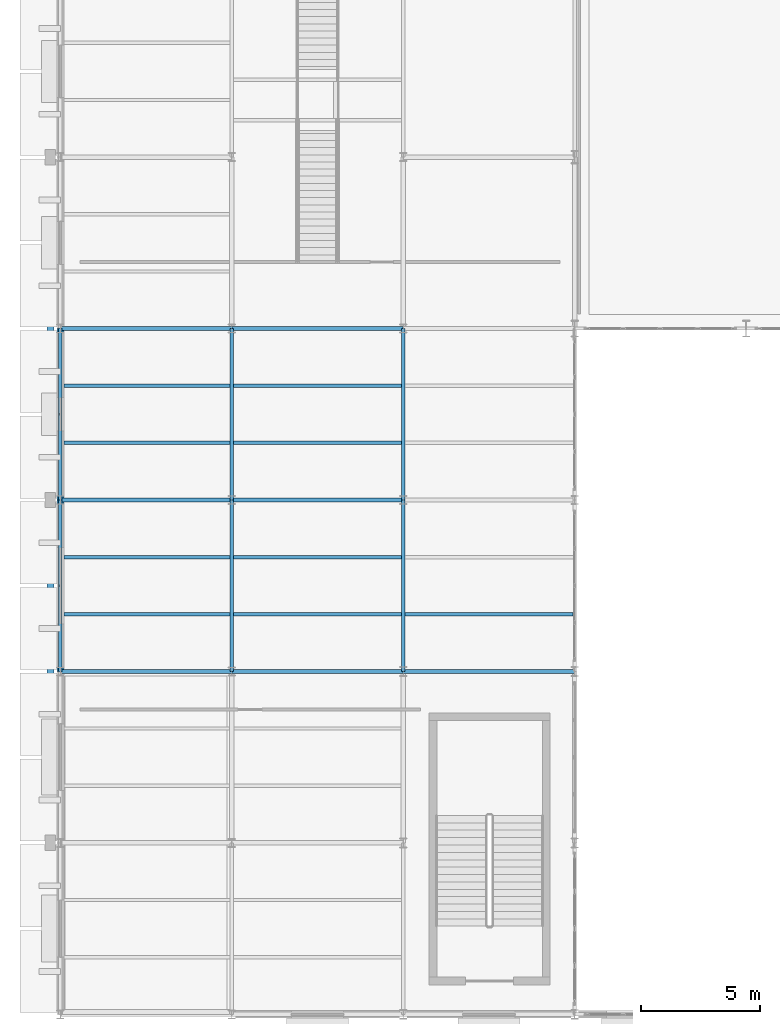
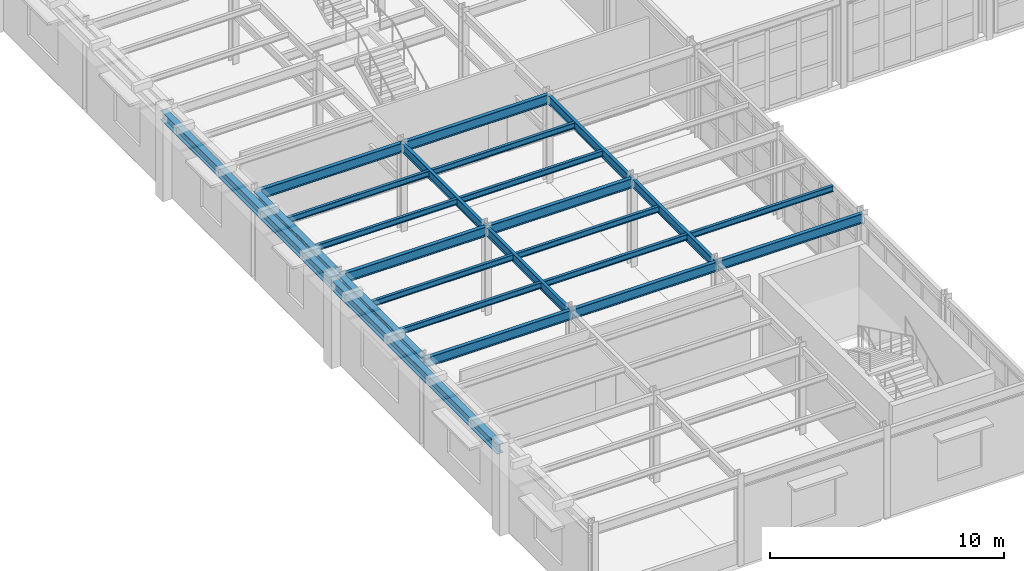
# One storey, part 27 of 126: 24 beams, 4 members.
"""IFC4 building model written with IfcOpenShell, lengths in metres."""

from ifc_helpers import new_model, si_unit, direction, frame, origin, origin_2d, place, context, subcontext, project, spatial, hollow_rectangle, i_section, extrude, material, material_profile, profile_set, type_object, element, save


model = new_model("IFC4")

# Units and contexts
model_context = context("Model", 3, precision=1e-05, world=origin(), true_north=direction((0.0, 1.0)))
body_context = subcontext(model_context, "Body", "Model", "MODEL_VIEW")
ifc_project = project(units=[si_unit("LENGTHUNIT", "METRE"), si_unit("AREAUNIT", "SQUARE_METRE"), si_unit("VOLUMEUNIT", "CUBIC_METRE"), si_unit("PLANEANGLEUNIT", "RADIAN"), si_unit("MASSUNIT", "GRAM", prefix="KILO")], contexts=[model_context])

# Site, building, storey
site_placement = place(None, origin())
site = spatial("IfcSite", under=ifc_project, at=site_placement, CompositionType="ELEMENT")
building_placement = place(site_placement, origin())
building = spatial("IfcBuilding", under=site, at=building_placement, Name="Solvadek Multi-Sports Hall", CompositionType="ELEMENT")
storey_placement = place(building_placement, frame((0.0, 0.0, 9.60009765625)))
storey = spatial("IfcBuildingStorey", under=building, at=storey_placement, Name="L02", CompositionType="ELEMENT", Elevation=9.60009765625)

# Members
ifc_material = material(Name="Steel E350 (350 MPa)", Category="steel")
ifc_material_profile_1 = material_profile(ifc_material, hollow_rectangle(XDim=0.14990234375, YDim=0.25, WallThickness=0.010009765625, at=origin_2d()), Name="RHS 250x150x10")
ifc_profile_set_1 = profile_set([ifc_material_profile_1], Name="Steel E350 (350 MPa)")
member_type = type_object("IfcMemberType", Name="STR-ARC-RHS250", PredefinedType="USERDEFINED", material=ifc_profile_set_1)
member_1_placement = place(storey_placement, frame((0.0, 34.800048828125, 3.64990234375), z_axis=(0.0, 0.9831211258, 0.182955874479), x_axis=(-1.0, 0.0, 0.0)))
element("IfcMember", 1, at=member_1_placement, inside=storey, type_object=member_type, Name="L02 West Facade Pointed Ottoman Arch 3L", ObjectType="ARCH_SEGMENT", PredefinedType="USERDEFINED", context=body_context, shape_type="SweptSolid", body=[
    extrude(hollow_rectangle(XDim=0.14990234375, YDim=0.25, WallThickness=0.010009765625, at=origin_2d()), origin(), (0.0, 0.0, 1.0), 3.66162109375),
])
for number, where, z_axis, x_axis, name in (
    (2, (0.0, 38.39990234375, 4.31982421875), (0.0, 0.983123357379, -0.182943882588), (-1.0, 0.0, 0.0), "L02 West Facade Pointed Ottoman Arch 3R"),
    (3, (0.0, 42.0, 3.64990234375), (0.0, 0.983123357379, 0.182943882588), (-1.0, 0.0, 0.0), "L02 West Facade Pointed Ottoman Arch 4L"),
):
    element("IfcMember", number, at=place(storey_placement, frame(where, z_axis=z_axis, x_axis=x_axis)), inside=storey, type_object=member_type, Name=name, ObjectType="ARCH_SEGMENT", PredefinedType="USERDEFINED", context=body_context, shape_type="SweptSolid", body=[
        extrude(hollow_rectangle(XDim=0.14990234375, YDim=0.25, WallThickness=0.010009765625, at=origin_2d()), origin(), (0.0, 0.0, 1.0), 3.661865234375),
    ])
member_2_placement = place(storey_placement, frame((0.0, 45.60009765625, 4.31982421875), z_axis=(0.0, 0.9831211258, -0.182955874479), x_axis=(-1.0, 0.0, 0.0)))
element("IfcMember", 4, at=member_2_placement, inside=storey, type_object=member_type, Name="L02 West Facade Pointed Ottoman Arch 4R", ObjectType="ARCH_SEGMENT", PredefinedType="USERDEFINED", context=body_context, shape_type="SweptSolid", body=[
    extrude(hollow_rectangle(XDim=0.14990234375, YDim=0.25, WallThickness=0.010009765625, at=origin_2d()), origin(), (0.0, 0.0, 1.0), 3.66162109375),
])

# Beams
ifc_material_profile_2 = material_profile(ifc_material, i_section(OverallWidth=0.14990234375, OverallDepth=0.449951171875, WebThickness=0.009521484375, FlangeThickness=0.017333984375, at=origin_2d()), Name="ISMB 450")
ifc_profile_set_2 = profile_set([ifc_material_profile_2], Name="Steel E350 (350 MPa)")
beam_type_1 = type_object("IfcBeamType", Name="STR-BM-ISMB450", PredefinedType="BEAM", material=ifc_profile_set_2)
for number, where, z_axis, x_axis, name in (
    (5, (7.199951171875, 34.800048828125, 4.3349609375), (0.0, 1.0, 0.0), (-1.0, 0.0, 0.0), "L02 Girder B-09 #1465"),
    (6, (7.199951171875, 42.0, 4.3349609375), (0.0, 1.0, 0.0), (-1.0, 0.0, 0.0), "L02 Girder B-09 #1466"),
    (7, (14.39990234375, 34.800048828125, 4.3349609375), (0.0, 1.0, 0.0), (-1.0, 0.0, 0.0), "L02 Girder B-09 #1477"),
    (8, (14.39990234375, 42.0, 4.3349609375), (0.0, 1.0, 0.0), (-1.0, 0.0, 0.0), "L02 Girder B-09 #1478"),
):
    element("IfcBeam", number, at=place(storey_placement, frame(where, z_axis=z_axis, x_axis=x_axis)), inside=storey, type_object=beam_type_1, Name=name, PredefinedType="BEAM", context=body_context, shape_type="SweptSolid", body=[
        extrude(i_section(OverallWidth=0.14990234375, OverallDepth=0.449951171875, WebThickness=0.009521484375, FlangeThickness=0.017333984375, at=origin_2d()), origin(), (0.0, 0.0, 1.0), 7.199951171875),
    ])
ifc_material_profile_3 = material_profile(ifc_material, i_section(OverallWidth=0.179931640625, OverallDepth=0.5, WebThickness=0.01025390625, FlangeThickness=0.01708984375, at=origin_2d()), Name="ISMB 500")
ifc_profile_set_3 = profile_set([ifc_material_profile_3], Name="Steel E350 (350 MPa)")
beam_type_2 = type_object("IfcBeamType", Name="STR-BM-ISMB500", PredefinedType="BEAM", material=ifc_profile_set_3)
for number, where, z_axis, x_axis, name in (
    (9, (0.0, 34.800048828125, 4.309814453125), (1.0, 0.0, 0.0), (0.0, 1.0, 0.0), "L02 Girder B-07 #1342"),
    (10, (7.199951171875, 34.800048828125, 4.309814453125), (1.0, 0.0, 0.0), (0.0, 1.0, 0.0), "L02 Girder B-07 #1343"),
):
    element("IfcBeam", number, at=place(storey_placement, frame(where, z_axis=z_axis, x_axis=x_axis)), inside=storey, type_object=beam_type_2, Name=name, PredefinedType="BEAM", context=body_context, shape_type="SweptSolid", body=[
        extrude(i_section(OverallWidth=0.179931640625, OverallDepth=0.5, WebThickness=0.01025390625, FlangeThickness=0.01708984375, at=origin_2d()), origin(), (0.0, 0.0, 1.0), 7.199951171875),
    ])
beam_1_placement = place(storey_placement, frame((14.39990234375, 34.800048828125, 4.309814453125), z_axis=(1.0, 0.0, 0.0), x_axis=(0.0, 1.0, 0.0)))
element("IfcBeam", 11, at=beam_1_placement, inside=storey, type_object=beam_type_2, Name="L02 Girder B-07 #1344", PredefinedType="BEAM", context=body_context, shape_type="SweptSolid", body=[
    extrude(i_section(OverallWidth=0.179931640625, OverallDepth=0.5, WebThickness=0.01025390625, FlangeThickness=0.01708984375, at=origin_2d()), origin(), (0.0, 0.0, 1.0), 7.2001953125),
])
for number, where, z_axis, x_axis, name in (
    (12, (0.0, 42.0, 4.309814453125), (1.0, 0.0, 0.0), (0.0, 1.0, 0.0), "L02 Girder B-07 #1348"),
    (13, (7.199951171875, 42.0, 4.309814453125), (1.0, 0.0, 0.0), (0.0, 1.0, 0.0), "L02 Girder B-07 #1349"),
    (14, (0.0, 49.199951171875, 4.309814453125), (1.0, 0.0, 0.0), (0.0, 1.0, 0.0), "L02 Girder B-07 #1365"),
    (15, (7.199951171875, 49.199951171875, 4.309814453125), (1.0, 0.0, 0.0), (0.0, 1.0, 0.0), "L02 Girder B-07 #1366"),
):
    element("IfcBeam", number, at=place(storey_placement, frame(where, z_axis=z_axis, x_axis=x_axis)), inside=storey, type_object=beam_type_2, Name=name, PredefinedType="BEAM", context=body_context, shape_type="SweptSolid", body=[
        extrude(i_section(OverallWidth=0.179931640625, OverallDepth=0.5, WebThickness=0.01025390625, FlangeThickness=0.01708984375, at=origin_2d()), origin(), (0.0, 0.0, 1.0), 7.199951171875),
    ])
ifc_material_profile_4 = material_profile(ifc_material, i_section(OverallWidth=0.139892578125, OverallDepth=0.300048828125, WebThickness=0.0078125, FlangeThickness=0.01318359375, at=origin_2d()), Name="ISMB 300")
ifc_profile_set_4 = profile_set([ifc_material_profile_4], Name="Steel E350 (350 MPa)")
beam_type_3 = type_object("IfcBeamType", Name="STR-JST-ISMB300", PredefinedType="JOIST", material=ifc_profile_set_4)
for number, where, z_axis, x_axis, name in (
    (16, (0.14990234375, 37.199951171875, 4.409912109375), (1.0, 0.0, 0.0), (0.0, 1.0, 0.0), "L02 Composite Joist J-03 #793"),
    (17, (0.14990234375, 39.60009765625, 4.409912109375), (1.0, 0.0, 0.0), (0.0, 1.0, 0.0), "L02 Composite Joist J-03 #794"),
):
    element("IfcBeam", number, at=place(storey_placement, frame(where, z_axis=z_axis, x_axis=x_axis)), inside=storey, type_object=beam_type_3, Name=name, PredefinedType="JOIST", context=body_context, shape_type="SweptSolid", body=[
        extrude(i_section(OverallWidth=0.139892578125, OverallDepth=0.300048828125, WebThickness=0.0078125, FlangeThickness=0.01318359375, at=origin_2d()), origin(), (0.0, 0.0, 1.0), 6.97509765625),
    ])
for number, where, z_axis, x_axis, name in (
    (18, (7.27490234375, 37.199951171875, 4.409912109375), (1.0, 0.0, 0.0), (0.0, 1.0, 0.0), "L02 Composite Joist J-03 #795"),
    (19, (7.27490234375, 39.60009765625, 4.409912109375), (1.0, 0.0, 0.0), (0.0, 1.0, 0.0), "L02 Composite Joist J-03 #796"),
):
    element("IfcBeam", number, at=place(storey_placement, frame(where, z_axis=z_axis, x_axis=x_axis)), inside=storey, type_object=beam_type_3, Name=name, PredefinedType="JOIST", context=body_context, shape_type="SweptSolid", body=[
        extrude(i_section(OverallWidth=0.139892578125, OverallDepth=0.300048828125, WebThickness=0.0078125, FlangeThickness=0.01318359375, at=origin_2d()), origin(), (0.0, 0.0, 1.0), 7.050048828125),
    ])
beam_2_placement = place(storey_placement, frame((14.47509765625, 37.199951171875, 4.409912109375), z_axis=(1.0, 0.0, 0.0), x_axis=(0.0, 1.0, 0.0)))
element("IfcBeam", 20, at=beam_2_placement, inside=storey, type_object=beam_type_3, Name="L02 Composite Joist J-03 #797", PredefinedType="JOIST", context=body_context, shape_type="SweptSolid", body=[
    extrude(i_section(OverallWidth=0.139892578125, OverallDepth=0.300048828125, WebThickness=0.0078125, FlangeThickness=0.01318359375, at=origin_2d()), origin(), (0.0, 0.0, 1.0), 7.0498046875),
])
for number, where, z_axis, x_axis, name in (
    (21, (0.14990234375, 44.39990234375, 4.409912109375), (1.0, 0.0, 0.0), (0.0, 1.0, 0.0), "L02 Composite Joist J-03 #805"),
    (22, (0.14990234375, 46.800048828125, 4.409912109375), (1.0, 0.0, 0.0), (0.0, 1.0, 0.0), "L02 Composite Joist J-03 #806"),
):
    element("IfcBeam", number, at=place(storey_placement, frame(where, z_axis=z_axis, x_axis=x_axis)), inside=storey, type_object=beam_type_3, Name=name, PredefinedType="JOIST", context=body_context, shape_type="SweptSolid", body=[
        extrude(i_section(OverallWidth=0.139892578125, OverallDepth=0.300048828125, WebThickness=0.0078125, FlangeThickness=0.01318359375, at=origin_2d()), origin(), (0.0, 0.0, 1.0), 6.97509765625),
    ])
for number, where, z_axis, x_axis, name in (
    (23, (7.27490234375, 44.39990234375, 4.409912109375), (1.0, 0.0, 0.0), (0.0, 1.0, 0.0), "L02 Composite Joist J-03 #807"),
    (24, (7.27490234375, 46.800048828125, 4.409912109375), (1.0, 0.0, 0.0), (0.0, 1.0, 0.0), "L02 Composite Joist J-03 #808"),
):
    element("IfcBeam", number, at=place(storey_placement, frame(where, z_axis=z_axis, x_axis=x_axis)), inside=storey, type_object=beam_type_3, Name=name, PredefinedType="JOIST", context=body_context, shape_type="SweptSolid", body=[
        extrude(i_section(OverallWidth=0.139892578125, OverallDepth=0.300048828125, WebThickness=0.0078125, FlangeThickness=0.01318359375, at=origin_2d()), origin(), (0.0, 0.0, 1.0), 7.050048828125),
    ])
ifc_material_profile_5 = material_profile(ifc_material, i_section(OverallWidth=0.300048828125, OverallDepth=0.5, WebThickness=0.014404296875, FlangeThickness=0.028076171875, at=origin_2d()), Name="WPB 500")
ifc_profile_set_5 = profile_set([ifc_material_profile_5], Name="Steel E350 (350 MPa)")
beam_type_4 = type_object("IfcBeamType", Name="STR-SPN-WPB500", PredefinedType="SPANDREL", material=ifc_profile_set_5)
for number, where, z_axis, x_axis, name in (
    (25, (-0.419921875, 27.60009765625, 4.309814453125), (0.0, 1.0, 0.0), (-1.0, 0.0, 0.0), "L02 Girder SP-01 #1447"),
    (26, (-0.419921875, 42.0, 4.309814453125), (0.0, 1.0, 0.0), (-1.0, 0.0, 0.0), "L02 Girder SP-01 #1448"),
):
    element("IfcBeam", number, at=place(storey_placement, frame(where, z_axis=z_axis, x_axis=x_axis)), inside=storey, type_object=beam_type_4, Name=name, PredefinedType="SPANDREL", context=body_context, shape_type="SweptSolid", body=[
        extrude(i_section(OverallWidth=0.300048828125, OverallDepth=0.5, WebThickness=0.014404296875, FlangeThickness=0.028076171875, at=origin_2d()), origin(), (0.0, 0.0, 1.0), 14.39990234375),
    ])
for number, where, z_axis, x_axis, name in (
    (27, (0.0, 34.800048828125, 4.309814453125), (0.0, 1.0, 0.0), (-1.0, 0.0, 0.0), "L02 Girder SP-01 #1453"),
    (28, (0.0, 42.0, 4.309814453125), (0.0, 1.0, 0.0), (-1.0, 0.0, 0.0), "L02 Girder SP-01 #1454"),
):
    element("IfcBeam", number, at=place(storey_placement, frame(where, z_axis=z_axis, x_axis=x_axis)), inside=storey, type_object=beam_type_4, Name=name, PredefinedType="SPANDREL", context=body_context, shape_type="SweptSolid", body=[
        extrude(i_section(OverallWidth=0.300048828125, OverallDepth=0.5, WebThickness=0.014404296875, FlangeThickness=0.028076171875, at=origin_2d()), origin(), (0.0, 0.0, 1.0), 7.199951171875),
    ])

save(model, "model.ifc")
